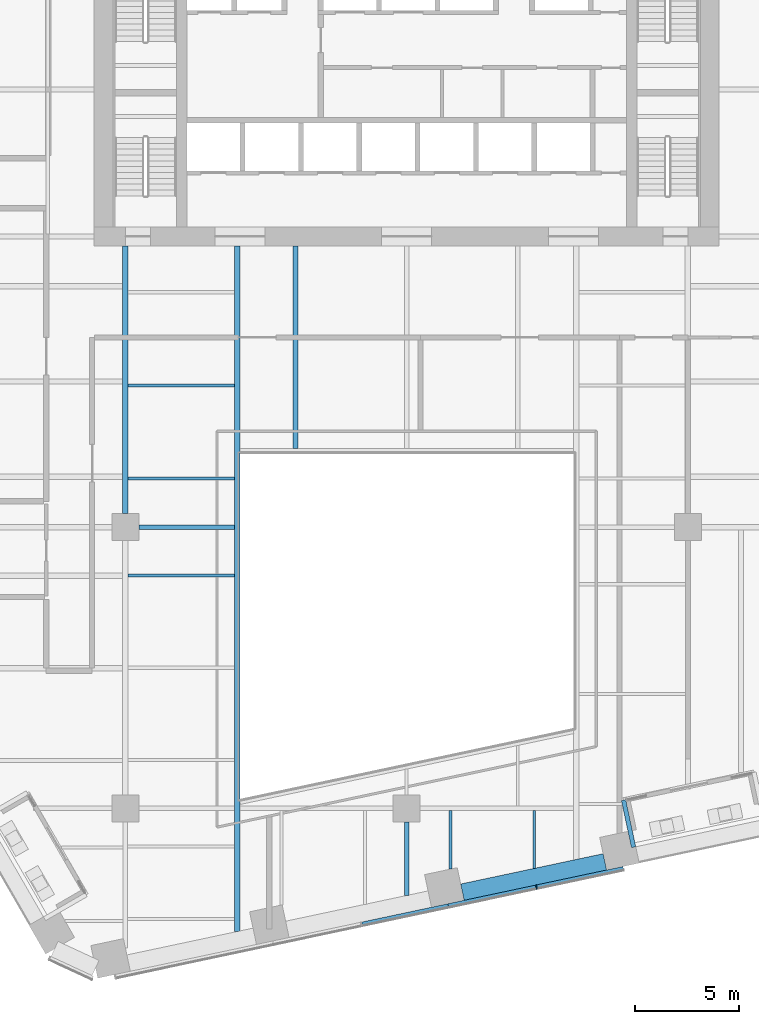
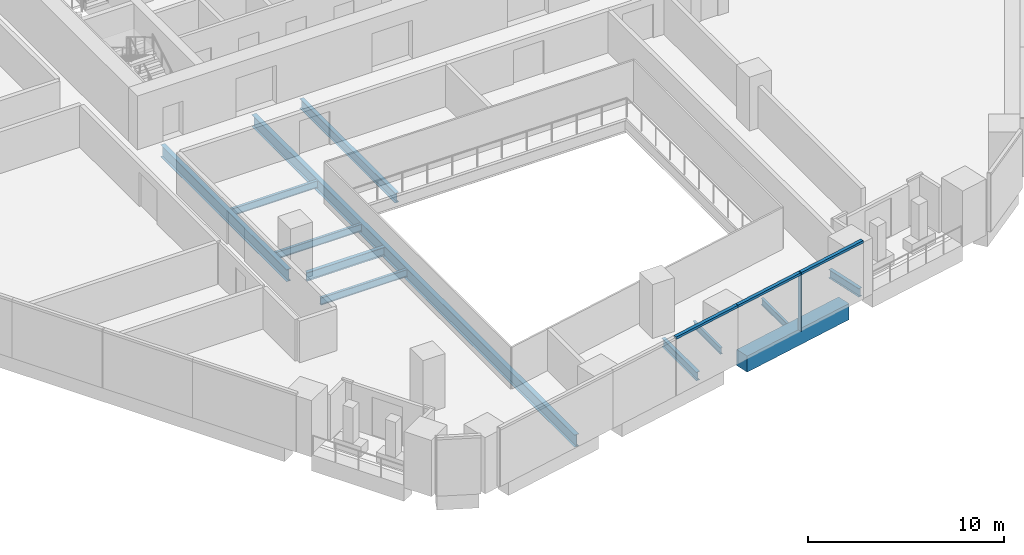
# One storey, part 5 of 31: 12 beams, 4 members, 1 element without a shape of its own.
"""IFC4 building model written with IfcOpenShell, lengths in metres."""

from ifc_helpers import new_model, si_unit, direction, frame, origin, origin_2d, place, context, subcontext, project, spatial, rectangle, i_section, extrude, material, layer, layer_set, material_profile, profile_set, type_object, element, aggregate, save


model = new_model("IFC4")

# Units and contexts
model_context = context("Model", 3, precision=1e-05, world=origin(), true_north=direction((0.0, 1.0)))
body_context = subcontext(model_context, "Body", "Model", "MODEL_VIEW")
ifc_project = project(units=[si_unit("LENGTHUNIT", "METRE"), si_unit("AREAUNIT", "SQUARE_METRE"), si_unit("VOLUMEUNIT", "CUBIC_METRE"), si_unit("PLANEANGLEUNIT", "RADIAN"), si_unit("MASSUNIT", "GRAM", prefix="KILO")], contexts=[model_context])

# Site, building, storey
site_placement = place(None, origin())
site = spatial("IfcSite", under=ifc_project, at=site_placement, CompositionType="ELEMENT")
building_placement = place(site_placement, origin())
building = spatial("IfcBuilding", under=site, at=building_placement, Name="Isthmus Gate Tower", CompositionType="ELEMENT")
storey_placement = place(building_placement, frame((0.0, 0.0, 113.5)))
storey = spatial("IfcBuildingStorey", under=building, at=storey_placement, Name="L27", CompositionType="ELEMENT", Elevation=113.5)

# Curtain wall, members
ifc_material_1 = material(Name="Aluminium, pale champagne anodised", Category="aluminium")
ifc_layer = layer(ifc_material_1, 0.199951171875)
ifc_layer_set = layer_set([ifc_layer], Name="CW-1 UNITISED CURTAIN WALL 200 DEEP")
curtain_wall_type = type_object("IfcCurtainWallType", Name="CW-1 UNITISED CURTAIN WALL 200 DEEP", PredefinedType="NOTDEFINED", material=ifc_layer_set)
curtain_wall_placement = place(storey_placement, origin())
curtain_wall = element("IfcCurtainWall", 1, at=curtain_wall_placement, inside=storey, type_object=curtain_wall_type, Name="CW-1 S L27", PredefinedType="NOTDEFINED")
ifc_material_2 = material(Name="Aluminium, pale champagne anodised", Category="aluminium")
ifc_material_profile_1 = material_profile(ifc_material_2, rectangle(XDim=0.06005859375, YDim=0.199951171875, at=origin_2d()), Name="60x200")
ifc_profile_set_1 = profile_set([ifc_material_profile_1], Name="Aluminium, pale champagne anodised")
member_type_1 = type_object("IfcMemberType", Name="CW-1 MULLION 60 X 200", PredefinedType="MULLION", material=ifc_profile_set_1)
member_1_placement = place(storey_placement, frame((6.228759765625, -30.7783203125, 0.0), z_axis=(0.0, 0.0, 1.0), x_axis=(0.978147600734, 0.207911690818, 0.0)))
member_1 = element("IfcMember", 2, at=member_1_placement, type_object=member_type_1, Name="CW-1 mullion", PredefinedType="MULLION", context=body_context, shape_type="SweptSolid", body=[
    extrude(rectangle(XDim=0.06005859375, YDim=0.199951171875, at=origin_2d()), origin(), (0.0, 0.0, 1.0), 3.64990234375),
])
ifc_material_3 = material(Name="Aluminium, pale champagne anodised", Category="aluminium")
ifc_material_profile_2 = material_profile(ifc_material_3, rectangle(XDim=0.199951171875, YDim=0.14990234375, at=origin_2d()), Name="200x150")
ifc_profile_set_2 = profile_set([ifc_material_profile_2], Name="Aluminium, pale champagne anodised")
member_type_2 = type_object("IfcMemberType", Name="CW-1 TRANSOM 200 X 150", PredefinedType="USERDEFINED", material=ifc_profile_set_2)
member_2_placement = place(storey_placement, frame((-2.1435546875, -32.557861328125, 3.574951171875), z_axis=(0.978150351608, 0.20789874855, 0.0), x_axis=(-0.20789874855, 0.978150351608, 0.0)))
member_2 = element("IfcMember", 3, at=member_2_placement, type_object=member_type_2, Name="CW-1 transom", ObjectType="TRANSOM", PredefinedType="USERDEFINED", context=body_context, shape_type="SweptSolid", body=[
    extrude(rectangle(XDim=0.199951171875, YDim=0.14990234375, at=origin_2d()), origin(), (0.0, 0.0, 1.0), 4.234619140625),
])
member_3_placement = place(storey_placement, frame((1.99853515625, -31.677490234375, 3.574951171875), z_axis=(0.97813890815, 0.207952582007, 0.0), x_axis=(-0.207952582007, 0.97813890815, 0.0)))
member_3 = element("IfcMember", 4, at=member_3_placement, type_object=member_type_2, Name="CW-1 transom", ObjectType="TRANSOM", PredefinedType="USERDEFINED", context=body_context, shape_type="SweptSolid", body=[
    extrude(rectangle(XDim=0.199951171875, YDim=0.14990234375, at=origin_2d()), origin(), (0.0, 0.0, 1.0), 4.294677734375),
])
member_4_placement = place(storey_placement, frame((6.258056640625, -30.77197265625, 3.574951171875), z_axis=(0.978150351608, 0.20789874855, 0.0), x_axis=(-0.20789874855, 0.978150351608, 0.0)))
member_4 = element("IfcMember", 5, at=member_4_placement, type_object=member_type_2, Name="CW-1 transom", ObjectType="TRANSOM", PredefinedType="USERDEFINED", context=body_context, shape_type="SweptSolid", body=[
    extrude(rectangle(XDim=0.199951171875, YDim=0.14990234375, at=origin_2d()), origin(), (0.0, 0.0, 1.0), 4.234619140625),
])
aggregate(curtain_wall, [member_2, member_3, member_1, member_4])

# Beams
ifc_material_4 = material(Name="Concrete f'c 70 MPa", Category="concrete")
ifc_material_profile_3 = material_profile(ifc_material_4, rectangle(XDim=0.800048828125, YDim=1.0, at=origin_2d()), Name="RC 800X1000")
ifc_profile_set_3 = profile_set([ifc_material_profile_3], Name="Concrete f'c 70 MPa")
beam_type_1 = type_object("IfcBeamType", Name="RC SPANDREL 800 X 1000", PredefinedType="SPANDREL", material=ifc_profile_set_3)
beam_1_placement = place(storey_placement, frame((9.513671875, -29.56884765625, -0.5), z_axis=(-0.978149173437, -0.207904291694, 0.0), x_axis=(0.207904291694, -0.978149173437, 0.0)))
element("IfcBeam", 6, at=beam_1_placement, inside=storey, type_object=beam_type_1, Name="str-spandrel-L27-11", PredefinedType="SPANDREL", context=body_context, shape_type="SweptSolid", body=[
    extrude(rectangle(XDim=0.800048828125, YDim=1.0, at=origin_2d()), origin(), (0.0, 0.0, 1.0), 6.989501953125),
])
ifc_material_5 = material(Name="Structural steel ASTM A992 Gr 50", Category="steel")
ifc_material_profile_4 = material_profile(ifc_material_5, i_section(OverallWidth=0.1396484375, OverallDepth=0.4033203125, WebThickness=0.00634765625, FlangeThickness=0.010986328125, at=origin_2d()), Name="W16X31")
ifc_profile_set_4 = profile_set([ifc_material_profile_4], Name="Structural steel ASTM A992 Gr 50")
beam_type_2 = type_object("IfcBeamType", Name="STEEL FLOOR BEAM W16X31", PredefinedType="JOIST", material=ifc_profile_set_4)
beam_2_placement = place(storey_placement, frame((2.111572265625, -29.91552734375, -0.3515625), z_axis=(0.0, 1.0, 0.0), x_axis=(-1.0, 0.0, 0.0)))
element("IfcBeam", 7, at=beam_2_placement, inside=storey, type_object=beam_type_2, Name="str-beam-L27-22-00", PredefinedType="JOIST", context=body_context, shape_type="SweptSolid", body=[
    extrude(i_section(OverallWidth=0.1396484375, OverallDepth=0.4033203125, WebThickness=0.00634765625, FlangeThickness=0.010986328125, at=origin_2d()), origin(), (0.0, 0.0, 1.0), 2.80126953125),
])
beam_3_placement = place(storey_placement, frame((6.125, -29.880126953125, -0.3515625), z_axis=(0.0, 1.0, 0.0), x_axis=(-1.0, 0.0, 0.0)))
element("IfcBeam", 8, at=beam_3_placement, inside=storey, type_object=beam_type_2, Name="str-beam-L27-22-01", PredefinedType="JOIST", context=body_context, shape_type="SweptSolid", body=[
    extrude(i_section(OverallWidth=0.1396484375, OverallDepth=0.4033203125, WebThickness=0.00634765625, FlangeThickness=0.010986328125, at=origin_2d()), origin(), (0.0, 0.0, 1.0), 2.765869140625),
])
ifc_material_6 = material(Name="Structural steel ASTM A992 Gr 50", Category="steel")
ifc_material_profile_5 = material_profile(ifc_material_6, i_section(OverallWidth=0.15234375, OverallDepth=0.45068359375, WebThickness=0.0078125, FlangeThickness=0.010986328125, at=origin_2d()), Name="W18X35")
ifc_profile_set_5 = profile_set([ifc_material_profile_5], Name="Structural steel ASTM A992 Gr 50")
beam_type_3 = type_object("IfcBeamType", Name="STEEL FLOOR BEAM W18X35", PredefinedType="JOIST", material=ifc_profile_set_5)
for number, where, z_axis, x_axis, name in (
    (9, (-13.3681640625, -11.16259765625, -0.37548828125), (1.0, 0.0, 0.0), (0.0, 1.0, 0.0), "str-beam-L27-14-00"),
    (10, (-13.3681640625, -6.697509765625, -0.37548828125), (1.0, 0.0, 0.0), (0.0, 1.0, 0.0), "str-beam-L27-14-01"),
    (11, (-13.3681640625, -15.81982421875, -0.37548828125), (1.0, 0.0, 0.0), (0.0, 1.0, 0.0), "str-beam-L27-15-02"),
):
    element("IfcBeam", number, at=place(storey_placement, frame(where, z_axis=z_axis, x_axis=x_axis)), inside=storey, type_object=beam_type_3, Name=name, PredefinedType="JOIST", context=body_context, shape_type="SweptSolid", body=[
        extrude(i_section(OverallWidth=0.15234375, OverallDepth=0.45068359375, WebThickness=0.0078125, FlangeThickness=0.010986328125, at=origin_2d()), origin(), (0.0, 0.0, 1.0), 5.1015625),
    ])
ifc_material_7 = material(Name="Structural steel ASTM A992 Gr 50", Category="steel")
ifc_material_profile_6 = material_profile(ifc_material_7, i_section(OverallWidth=0.228515625, OverallDepth=0.603271484375, WebThickness=0.010986328125, FlangeThickness=0.014404296875, at=origin_2d()), Name="W24X68")
ifc_profile_set_6 = profile_set([ifc_material_profile_6], Name="Structural steel ASTM A992 Gr 50")
beam_type_4 = type_object("IfcBeamType", Name="STEEL FLOOR BEAM W24X68", PredefinedType="JOIST", material=ifc_profile_set_6)
beam_4_placement = place(storey_placement, frame((-5.333251953125, -9.7333984375, -0.45166015625), z_axis=(0.0, 1.0, 0.0), x_axis=(-1.0, 0.0, 0.0)))
element("IfcBeam", 12, at=beam_4_placement, inside=storey, type_object=beam_type_4, Name="str-beam-L27-20-00", PredefinedType="JOIST", context=body_context, shape_type="SweptSolid", body=[
    extrude(i_section(OverallWidth=0.228515625, OverallDepth=0.603271484375, WebThickness=0.010986328125, FlangeThickness=0.014404296875, at=origin_2d()), origin(), (0.0, 0.0, 1.0), 9.7333984375),
])
ifc_material_8 = material(Name="Structural steel ASTM A992 Gr 50", Category="steel")
ifc_material_profile_7 = material_profile(ifc_material_8, i_section(OverallWidth=0.20947265625, OverallDepth=0.533447265625, WebThickness=0.009521484375, FlangeThickness=0.015869140625, at=origin_2d()), Name="W21X62")
ifc_profile_set_7 = profile_set([ifc_material_profile_7], Name="Structural steel ASTM A992 Gr 50")
beam_type_5 = type_object("IfcBeamType", Name="STEEL GIRDER W21X62", PredefinedType="BEAM", material=ifc_profile_set_7)
beam_5_placement = place(storey_placement, frame((-12.85009765625, -13.5, -0.416748046875), z_axis=(1.0, 0.0, 0.0), x_axis=(0.0, 1.0, 0.0)))
element("IfcBeam", 13, at=beam_5_placement, inside=storey, type_object=beam_type_5, Name="str-girder-L27-06", PredefinedType="BEAM", context=body_context, shape_type="SweptSolid", body=[
    extrude(i_section(OverallWidth=0.20947265625, OverallDepth=0.533447265625, WebThickness=0.009521484375, FlangeThickness=0.015869140625, at=origin_2d()), origin(), (0.0, 0.0, 1.0), 4.58349609375),
])
beam_6_placement = place(storey_placement, frame((0.0, -31.18212890625, -0.416748046875), z_axis=(0.0, 1.0, 0.0), x_axis=(-1.0, 0.0, 0.0)))
element("IfcBeam", 14, at=beam_6_placement, inside=storey, type_object=beam_type_5, Name="str-girder-L27-29", PredefinedType="BEAM", context=body_context, shape_type="SweptSolid", body=[
    extrude(i_section(OverallWidth=0.20947265625, OverallDepth=0.533447265625, WebThickness=0.009521484375, FlangeThickness=0.015869140625, at=origin_2d()), origin(), (0.0, 0.0, 1.0), 3.5322265625),
])
ifc_material_9 = material(Name="Structural steel ASTM A992 Gr 50", Category="steel")
ifc_material_profile_8 = material_profile(ifc_material_9, i_section(OverallWidth=0.263427734375, OverallDepth=0.749267578125, WebThickness=0.0126953125, FlangeThickness=0.015869140625, at=origin_2d()), Name="W30X90")
ifc_profile_set_8 = profile_set([ifc_material_profile_8], Name="Structural steel ASTM A992 Gr 50")
beam_type_6 = type_object("IfcBeamType", Name="STEEL GIRDER W30X90", PredefinedType="BEAM", material=ifc_profile_set_8)
beam_7_placement = place(storey_placement, frame((-13.5, -12.85009765625, -0.524658203125), z_axis=(0.0, 1.0, 0.0), x_axis=(-1.0, 0.0, 0.0)))
element("IfcBeam", 15, at=beam_7_placement, inside=storey, type_object=beam_type_6, Name="str-girder-L27-26", PredefinedType="BEAM", context=body_context, shape_type="SweptSolid", body=[
    extrude(i_section(OverallWidth=0.263427734375, OverallDepth=0.749267578125, WebThickness=0.0126953125, FlangeThickness=0.015869140625, at=origin_2d()), origin(), (0.0, 0.0, 1.0), 12.85009765625),
])
ifc_material_10 = material(Name="Structural steel ASTM A992 Gr 50", Category="steel")
ifc_material_profile_9 = material_profile(ifc_material_10, i_section(OverallWidth=0.20947265625, OverallDepth=0.533447265625, WebThickness=0.009521484375, FlangeThickness=0.015869140625, at=origin_2d()), Name="W21X62")
ifc_profile_set_9 = profile_set([ifc_material_profile_9], Name="Structural steel ASTM A992 Gr 50")
beam_type_7 = type_object("IfcBeamType", Name="STEEL TRIMMER W21X62", PredefinedType="BEAM", material=ifc_profile_set_9)
beam_8_placement = place(storey_placement, frame((10.89306640625, -28.86669921875, -0.416748046875), z_axis=(-0.207929410801, 0.978143834067, 0.0), x_axis=(-0.978143834067, -0.207929410801, 0.0)))
element("IfcBeam", 16, at=beam_8_placement, inside=storey, type_object=beam_type_7, Name="str-loggiatrim-L27-04-A", PredefinedType="BEAM", context=body_context, shape_type="SweptSolid", body=[
    extrude(i_section(OverallWidth=0.20947265625, OverallDepth=0.533447265625, WebThickness=0.009521484375, FlangeThickness=0.015869140625, at=origin_2d()), origin(), (0.0, 0.0, 1.0), 2.314208984375),
])
ifc_material_11 = material(Name="Structural steel ASTM A992 Gr 50", Category="steel")
ifc_material_profile_10 = material_profile(ifc_material_11, i_section(OverallWidth=0.2666015625, OverallDepth=0.7587890625, WebThickness=0.014404296875, FlangeThickness=0.01904296875, at=origin_2d()), Name="W30X108")
ifc_profile_set_10 = profile_set([ifc_material_profile_10], Name="Structural steel ASTM A992 Gr 50")
beam_type_8 = type_object("IfcBeamType", Name="STEEL TRIMMER W30X108", PredefinedType="BEAM", material=ifc_profile_set_10)
beam_9_placement = place(storey_placement, frame((-8.13330078125, 0.0, -0.529296875), z_axis=(0.0, -1.0, 0.0), x_axis=(1.0, 0.0, 0.0)))
element("IfcBeam", 17, at=beam_9_placement, inside=storey, type_object=beam_type_8, Name="str-trimmer-L27-02", PredefinedType="BEAM", context=body_context, shape_type="SweptSolid", body=[
    extrude(i_section(OverallWidth=0.2666015625, OverallDepth=0.7587890625, WebThickness=0.014404296875, FlangeThickness=0.01904296875, at=origin_2d()), origin(), (0.0, 0.0, 1.0), 32.910888671875),
])

save(model, "model.ifc")
